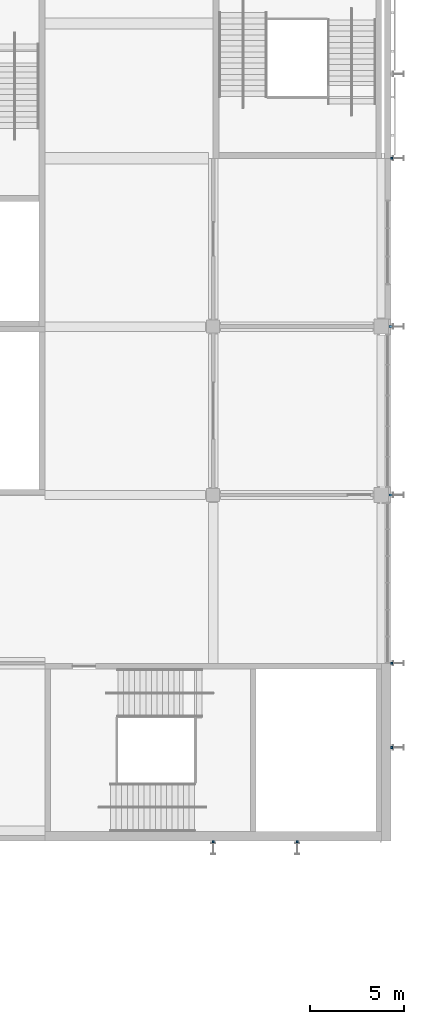
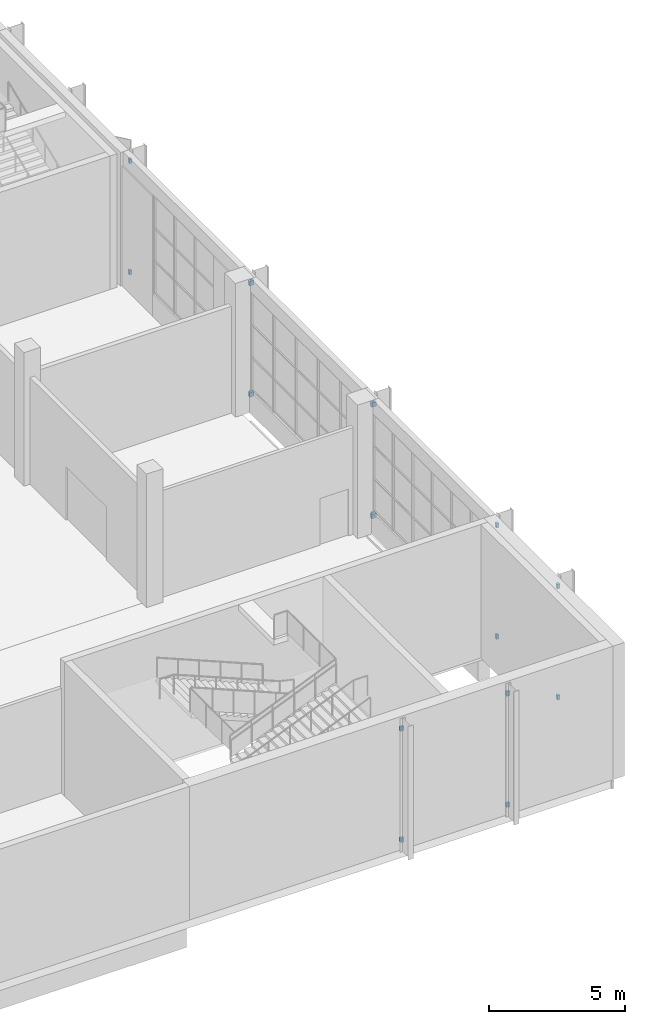
# One storey, part 60 of 89: 14 discrete accessories.
"""IFC4 building model written with IfcOpenShell, lengths in metres."""

from ifc_helpers import new_model, si_unit, direction, frame, origin, origin_2d, place, context, subcontext, project, spatial, rectangle, extrude, material, type_object, element, save


model = new_model("IFC4")

# Units and contexts
model_context = context("Model", 3, precision=1e-05, world=origin(), true_north=direction((0.0, 1.0)))
body_context = subcontext(model_context, "Body", "Model", "MODEL_VIEW")
ifc_project = project(units=[si_unit("LENGTHUNIT", "METRE"), si_unit("AREAUNIT", "SQUARE_METRE"), si_unit("VOLUMEUNIT", "CUBIC_METRE"), si_unit("PLANEANGLEUNIT", "RADIAN"), si_unit("MASSUNIT", "GRAM", prefix="KILO")], contexts=[model_context])

# Site, building, storey
site_placement = place(None, origin())
site = spatial("IfcSite", under=ifc_project, at=site_placement, CompositionType="ELEMENT")
building_placement = place(site_placement, origin())
building = spatial("IfcBuilding", under=site, at=building_placement, Name="Silverbay Arena", CompositionType="ELEMENT")
storey_placement = place(building_placement, frame((0.0, 0.0, 22.0)))
storey = spatial("IfcBuildingStorey", under=building, at=storey_placement, Name="L03", CompositionType="ELEMENT", Elevation=22.0)

# Discrete accessories
ifc_material = material(Name="Steel S355", Category="steel")
discrete_accessory_type = type_object("IfcDiscreteAccessoryType", Name="Steel bracket plate", PredefinedType="BRACKET", material=ifc_material)
for number, where, z_axis, x_axis, name in (
    (1, (198.0, 17.449951171875, 0.39990234375), (0.0, 0.0, 1.0), (1.0, 0.0, 0.0), "Fin bracket"),
    (2, (198.0, 17.449951171875, 5.39990234375), (0.0, 0.0, 1.0), (1.0, 0.0, 0.0), "Fin bracket"),
    (3, (202.5, 17.449951171875, 0.39990234375), (0.0, 0.0, 1.0), (1.0, 0.0, 0.0), "Fin bracket"),
    (4, (202.5, 17.449951171875, 5.39990234375), (0.0, 0.0, 1.0), (1.0, 0.0, 0.0), "Fin bracket"),
):
    element("IfcDiscreteAccessory", number, at=place(storey_placement, frame(where, z_axis=z_axis, x_axis=x_axis)), inside=storey, type_object=discrete_accessory_type, Name=name, PredefinedType="BRACKET", context=body_context, shape_type="SweptSolid", body=[
        extrude(rectangle(XDim=0.1201171875, YDim=0.10009765625, at=origin_2d()), origin(), (0.0, 0.0, 1.0), 0.199951171875),
    ])
for number, where, z_axis, x_axis, name in (
    (5, (207.550048828125, 22.5, 0.39990234375), (0.0, 0.0, 1.0), (1.0, 0.0, 0.0), "Fin bracket"),
    (6, (207.550048828125, 22.5, 5.39990234375), (0.0, 0.0, 1.0), (1.0, 0.0, 0.0), "Fin bracket"),
    (7, (207.550048828125, 27.0, 0.39990234375), (0.0, 0.0, 1.0), (1.0, 0.0, 0.0), "Fin bracket"),
    (8, (207.550048828125, 27.0, 5.39990234375), (0.0, 0.0, 1.0), (1.0, 0.0, 0.0), "Fin bracket"),
):
    element("IfcDiscreteAccessory", number, at=place(storey_placement, frame(where, z_axis=z_axis, x_axis=x_axis)), inside=storey, type_object=discrete_accessory_type, Name=name, PredefinedType="BRACKET", context=body_context, shape_type="SweptSolid", body=[
        extrude(rectangle(XDim=0.10009765625, YDim=0.1201171875, at=origin_2d()), origin(), (0.0, 0.0, 1.0), 0.199951171875),
    ])
for number, where, z_axis, x_axis, name in (
    (9, (207.5, 36.0, 0.39990234375), (0.0, 0.0, 1.0), (1.0, 0.0, 0.0), "Fin bracket"),
    (10, (207.5, 36.0, 5.39990234375), (0.0, 0.0, 1.0), (1.0, 0.0, 0.0), "Fin bracket"),
    (11, (207.5, 45.0, 0.39990234375), (0.0, 0.0, 1.0), (1.0, 0.0, 0.0), "Fin bracket"),
    (12, (207.5, 45.0, 5.39990234375), (0.0, 0.0, 1.0), (1.0, 0.0, 0.0), "Fin bracket"),
):
    element("IfcDiscreteAccessory", number, at=place(storey_placement, frame(where, z_axis=z_axis, x_axis=x_axis)), inside=storey, type_object=discrete_accessory_type, Name=name, PredefinedType="BRACKET", context=body_context, shape_type="SweptSolid", body=[
        extrude(rectangle(XDim=0.199951171875, YDim=0.1201171875, at=origin_2d()), origin(), (0.0, 0.0, 1.0), 0.199951171875),
    ])
for number, where, z_axis, x_axis, name in (
    (13, (207.550048828125, 54.0, 0.39990234375), (0.0, 0.0, 1.0), (1.0, 0.0, 0.0), "Fin bracket"),
    (14, (207.550048828125, 54.0, 5.39990234375), (0.0, 0.0, 1.0), (1.0, 0.0, 0.0), "Fin bracket"),
):
    element("IfcDiscreteAccessory", number, at=place(storey_placement, frame(where, z_axis=z_axis, x_axis=x_axis)), inside=storey, type_object=discrete_accessory_type, Name=name, PredefinedType="BRACKET", context=body_context, shape_type="SweptSolid", body=[
        extrude(rectangle(XDim=0.10009765625, YDim=0.1201171875, at=origin_2d()), origin(), (0.0, 0.0, 1.0), 0.199951171875),
    ])

save(model, "model.ifc")
